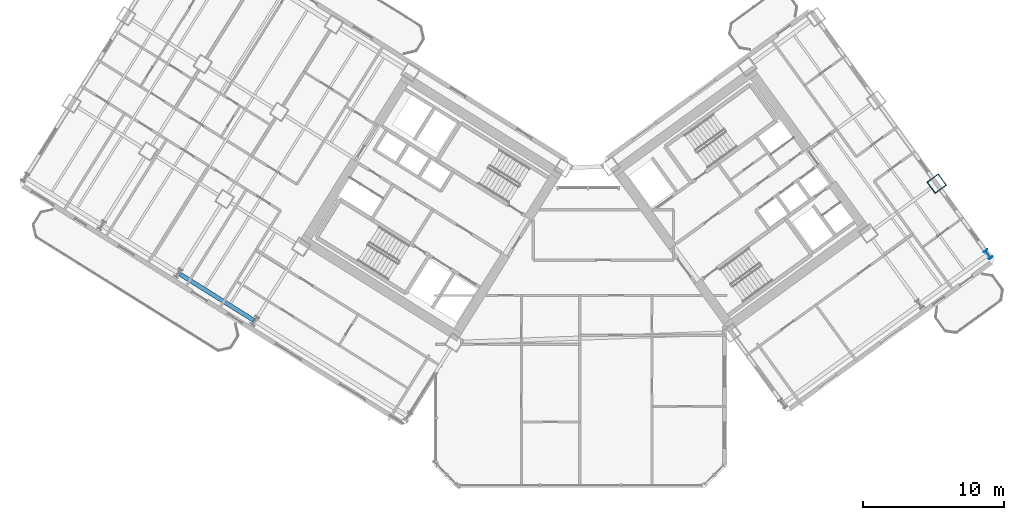
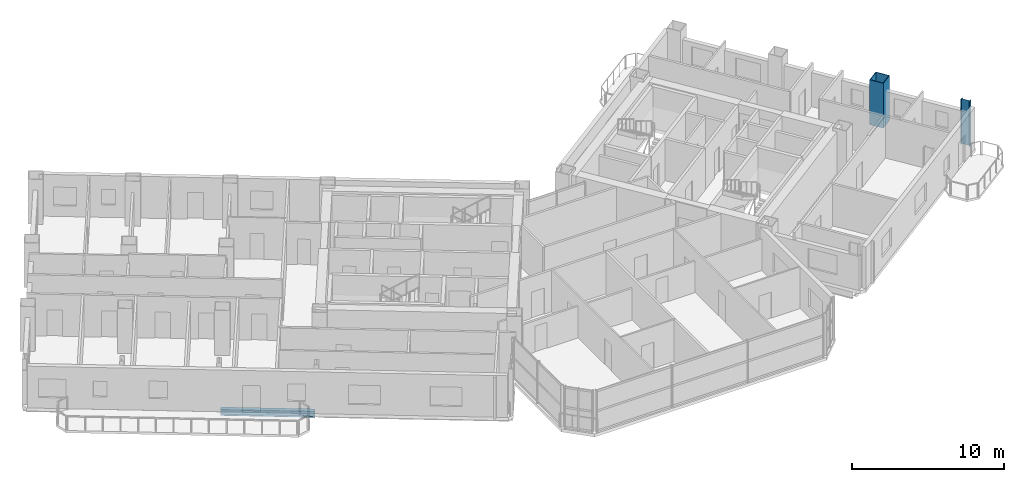
# One storey, part 4 of 24: 2 columns, 1 beam.
"""IFC4 building model written with IfcOpenShell, lengths in metres."""

from ifc_helpers import new_model, si_unit, direction, frame, origin, origin_2d, place, context, subcontext, project, spatial, hollow_rectangle, i_section, extrude, source, transform, mapped, material, material_profile, profile_set, type_object, element, save


model = new_model("IFC4")

# Units and contexts
model_context = context("Model", 3, precision=1e-05, world=origin(), true_north=direction((0.0, 1.0)))
body_context = subcontext(model_context, "Body", "Model", "MODEL_VIEW")
ifc_project = project(units=[si_unit("LENGTHUNIT", "METRE"), si_unit("AREAUNIT", "SQUARE_METRE"), si_unit("VOLUMEUNIT", "CUBIC_METRE"), si_unit("PLANEANGLEUNIT", "RADIAN"), si_unit("MASSUNIT", "GRAM", prefix="KILO")], contexts=[model_context])

# Site, building, storey
site_placement = place(None, origin())
site = spatial("IfcSite", under=ifc_project, at=site_placement, CompositionType="ELEMENT")
building_placement = place(site_placement, origin())
building = spatial("IfcBuilding", under=site, at=building_placement, Name="Tlacorven Tower", CompositionType="ELEMENT")
storey_placement = place(building_placement, frame((0.0, 0.0, 60.0)))
storey = spatial("IfcBuildingStorey", under=building, at=storey_placement, Name="L15", CompositionType="ELEMENT", Elevation=60.0)

# Columns
ifc_material_1 = material(Name="Steel S460M", Category="steel")
ifc_material_profile_1 = material_profile(ifc_material_1, hollow_rectangle(XDim=1.0, YDim=1.0, WallThickness=0.0400390625, at=origin_2d()), Name="BOX 1000X1000X40")
ifc_profile_set_1 = profile_set([ifc_material_profile_1], Name="Steel S460M")
column_type_1 = type_object("IfcColumnType", Name="COL-TWR-S1", PredefinedType="COLUMN", material=ifc_profile_set_1)
shared_shape_1 = source(origin(), body_context, "Body", "SweptSolid", [
    extrude(hollow_rectangle(XDim=1.0, YDim=1.0, WallThickness=0.0400390625, at=origin_2d()), origin(), (0.0, 0.0, 1.0), 3.60009765625),
])
column_1_placement = place(storey_placement, frame((67.267822265625, 23.353515625, 0.0), z_axis=(0.0, 0.0, 1.0), x_axis=(0.809016994375, 0.587785252292, 0.0)))
element("IfcColumn", 1, at=column_1_placement, inside=storey, type_object=column_type_1, Name="L15 column COL-L15-E4-2", PredefinedType="COLUMN", context=body_context, shape_type="MappedRepresentation", body=[
    mapped(shared_shape_1, transform((0.0, 0.0, 0.0), scale=1.0)),
])
ifc_material_profile_2 = material_profile(ifc_material_1, i_section(OverallWidth=0.300048828125, OverallDepth=0.64990234375, WebThickness=0.01611328125, FlangeThickness=0.031005859375, at=origin_2d()), Name="HEB 650")
ifc_profile_set_2 = profile_set([ifc_material_profile_2], Name="Steel S460M")
column_type_2 = type_object("IfcColumnType", Name="COL-TWR-P1", PredefinedType="COLUMN", material=ifc_profile_set_2)
shared_shape_2 = source(origin(), body_context, "Body", "SweptSolid", [
    extrude(i_section(OverallWidth=0.300048828125, OverallDepth=0.64990234375, WebThickness=0.01611328125, FlangeThickness=0.031005859375, at=origin_2d()), origin(), (0.0, 0.0, 1.0), 3.60009765625),
])
column_2_placement = place(storey_placement, frame((70.911865234375, 18.337646484375, 0.0), z_axis=(0.0, 0.0, 1.0), x_axis=(0.809016994375, 0.587785252292, 0.0)))
element("IfcColumn", 2, at=column_2_placement, inside=storey, type_object=column_type_2, Name="L15 column COL-L15-E4-1", PredefinedType="COLUMN", context=body_context, shape_type="MappedRepresentation", body=[
    mapped(shared_shape_2, transform((0.0, 0.0, 0.0), scale=1.0)),
])

# Beam
ifc_material_2 = material(Name="Steel S355J2", Category="steel")
ifc_material_profile_3 = material_profile(ifc_material_2, i_section(OverallWidth=0.300048828125, OverallDepth=0.489990234375, WebThickness=0.011962890625, FlangeThickness=0.02294921875, at=origin_2d()), Name="HEA 500")
ifc_profile_set_3 = profile_set([ifc_material_profile_3], Name="Steel S355J2")
beam_type = type_object("IfcBeamType", Name="BM-SPN-500", PredefinedType="SPANDREL", material=ifc_profile_set_3)
shared_shape_3 = source(origin(), body_context, "Body", "SweptSolid", [
    extrude(i_section(OverallWidth=0.300048828125, OverallDepth=0.489990234375, WebThickness=0.011962890625, FlangeThickness=0.02294921875, at=origin_2d()), origin(), (0.0, 0.0, 1.0), 6.199951171875),
])
beam_placement = place(storey_placement, frame((18.82080078125, 13.6650390625, -0.4951171875), z_axis=(-0.848051394107, 0.529913986372, 0.0), x_axis=(-0.529913986372, -0.848051394107, 0.0)))
element("IfcBeam", 3, at=beam_placement, inside=storey, type_object=beam_type, Name="L15 beam BM-L15-WL4-3", PredefinedType="SPANDREL", context=body_context, shape_type="MappedRepresentation", body=[
    mapped(shared_shape_3, transform((0.0, 0.0, 0.0), scale=1.0)),
])

save(model, "model.ifc")
